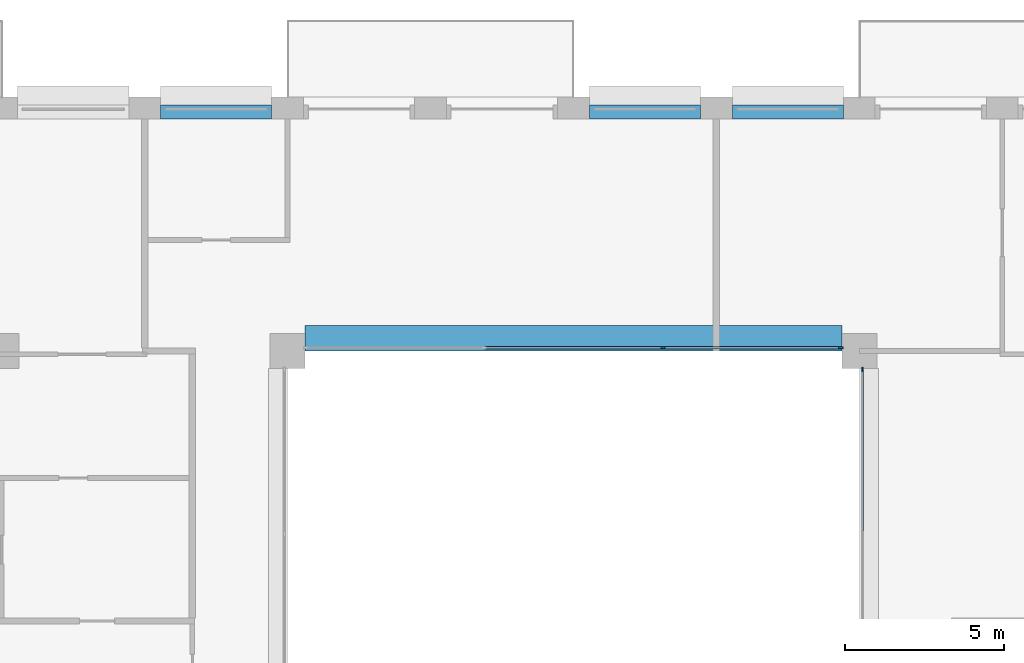
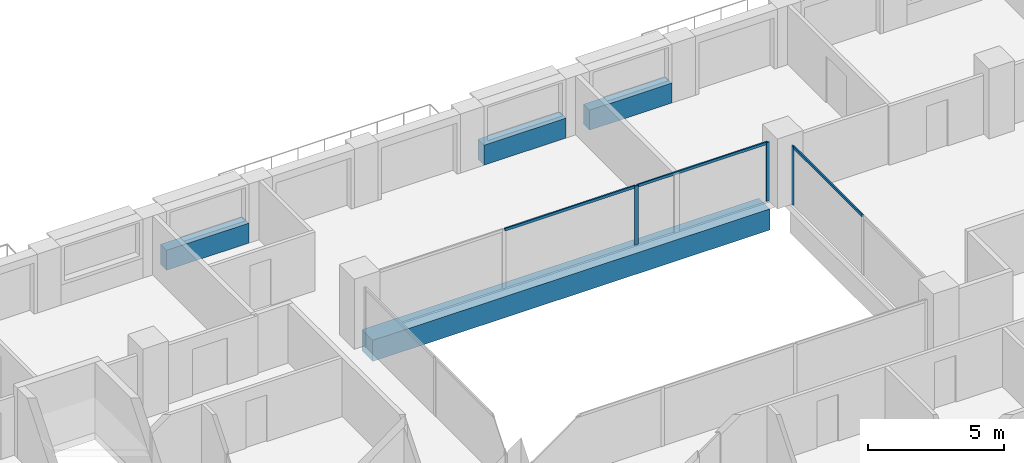
# One storey, part 6 of 16: 6 members, 4 beams, 2 elements without a shape of their own.
"""IFC4 building model written with IfcOpenShell, lengths in metres."""

from ifc_helpers import new_model, si_unit, direction, frame, origin, origin_2d, place, context, subcontext, project, spatial, rectangle, extrude, material, layer, layer_set, material_profile, profile_set, type_object, element, aggregate, save


model = new_model("IFC4")

# Units and contexts
model_context = context("Model", 3, precision=1e-05, world=origin(), true_north=direction((0.0, 1.0)))
body_context = subcontext(model_context, "Body", "Model", "MODEL_VIEW")
ifc_project = project(units=[si_unit("LENGTHUNIT", "METRE"), si_unit("AREAUNIT", "SQUARE_METRE"), si_unit("VOLUMEUNIT", "CUBIC_METRE"), si_unit("PLANEANGLEUNIT", "RADIAN"), si_unit("MASSUNIT", "GRAM", prefix="KILO")], contexts=[model_context])

# Site, building, storey
site_placement = place(None, origin())
site = spatial("IfcSite", under=ifc_project, at=site_placement, CompositionType="ELEMENT")
building_placement = place(site_placement, origin())
building = spatial("IfcBuilding", under=site, at=building_placement, Name="Brigalow Station Residences", CompositionType="ELEMENT")
storey_placement = place(building_placement, frame((0.0, 0.0, 182.25)))
storey = spatial("IfcBuildingStorey", under=building, at=storey_placement, Name="L53", CompositionType="ELEMENT", Elevation=182.25)

# Beam
ifc_material_1 = material(Name="Concrete C65", Category="concrete")
ifc_material_profile_1 = material_profile(ifc_material_1, rectangle(XDim=0.800048828125, YDim=0.949951171875, at=origin_2d()), Name="RC800x950")
ifc_profile_set_1 = profile_set([ifc_material_profile_1], Name="Concrete C65")
beam_type_1 = type_object("IfcBeamType", Name="ATRIUM EDGE GIRDER OVER 13.5 M SPAN 800x950 C65", PredefinedType="BEAM", material=ifc_profile_set_1)
beam_placement = place(storey_placement, frame((27.550048828125, 35.89990234375, -0.794921875), z_axis=(1.0, 0.0, 0.0), x_axis=(0.0, 1.0, 0.0)))
element("IfcBeam", 1, at=beam_placement, inside=storey, type_object=beam_type_1, Name="ATRIUM EDGE GIRDER D L53", PredefinedType="BEAM", context=body_context, shape_type="SweptSolid", body=[
    extrude(rectangle(XDim=0.800048828125, YDim=0.949951171875, at=origin_2d()), origin(), (0.0, 0.0, 1.0), 16.89990234375),
])

# Curtain wall, member
ifc_material_2 = material(Name="Aluminium", Category="aluminium")
ifc_layer = layer(ifc_material_2, 0.14990234375)
ifc_layer_set = layer_set([ifc_layer], Name="ATRIUM FIRE-RATED GLAZING CURTAIN WALL")
curtain_wall_type = type_object("IfcCurtainWallType", Name="ATRIUM FIRE-RATED GLAZING CURTAIN WALL", PredefinedType="NOTDEFINED", material=ifc_layer_set)
curtain_wall_1_placement = place(storey_placement, origin())
curtain_wall_1 = element("IfcCurtainWall", 2, at=curtain_wall_1_placement, inside=storey, type_object=curtain_wall_type, Name="L53/cw/atrium-E", PredefinedType="NOTDEFINED")
ifc_material_3 = material(Name="Aluminium", Category="aluminium")
ifc_material_profile_2 = material_profile(ifc_material_3, rectangle(XDim=0.06005859375, YDim=0.14990234375, at=origin_2d()), Name="ATRIUM FIRE-RATED GLAZING MULLION 60x150")
ifc_profile_set_2 = profile_set([ifc_material_profile_2], Name="Aluminium")
member_type_1 = type_object("IfcMemberType", Name="ATRIUM FIRE-RATED GLAZING MULLION 60x150", PredefinedType="MULLION", material=ifc_profile_set_2)
member_1_placement = place(storey_placement, frame((45.10009765625, 34.919921875, 0.0), z_axis=(0.0, 0.0, 1.0), x_axis=(-1.0, 0.0, 0.0)))
member_1 = element("IfcMember", 3, at=member_1_placement, type_object=member_type_1, Name="L53/cw/atrium-E/M02", PredefinedType="MULLION", context=body_context, shape_type="SweptSolid", body=[
    extrude(rectangle(XDim=0.06005859375, YDim=0.14990234375, at=origin_2d()), origin(), (0.0, 0.0, 1.0), 2.64990234375),
])

# Curtain wall, members
curtain_wall_2_placement = place(storey_placement, origin())
curtain_wall_2 = element("IfcCurtainWall", 4, at=curtain_wall_2_placement, inside=storey, type_object=curtain_wall_type, Name="L53/cw/atrium-N", PredefinedType="NOTDEFINED")
member_2_placement = place(storey_placement, frame((44.419921875, 35.60009765625, 0.0), z_axis=(0.0, 0.0, 1.0), x_axis=(0.0, -1.0, 0.0)))
member_2 = element("IfcMember", 5, at=member_2_placement, type_object=member_type_1, Name="L53/cw/atrium-N/M00", PredefinedType="MULLION", context=body_context, shape_type="SweptSolid", body=[
    extrude(rectangle(XDim=0.06005859375, YDim=0.14990234375, at=origin_2d()), origin(), (0.0, 0.0, 1.0), 2.64990234375),
])
member_3_placement = place(storey_placement, frame((38.816650390625, 35.60009765625, 0.0), z_axis=(0.0, 0.0, 1.0), x_axis=(0.0, -1.0, 0.0)))
member_3 = element("IfcMember", 6, at=member_3_placement, type_object=member_type_1, Name="L53/cw/atrium-N/M01", PredefinedType="MULLION", context=body_context, shape_type="SweptSolid", body=[
    extrude(rectangle(XDim=0.06005859375, YDim=0.14990234375, at=origin_2d()), origin(), (0.0, 0.0, 1.0), 2.64990234375),
])

# Member
ifc_material_4 = material(Name="Aluminium", Category="aluminium")
ifc_material_profile_3 = material_profile(ifc_material_4, rectangle(XDim=0.06005859375, YDim=0.1201171875, at=origin_2d()), Name="ATRIUM FIRE-RATED GLAZING TRANSOM 60x120")
ifc_profile_set_3 = profile_set([ifc_material_profile_3], Name="Aluminium")
member_type_2 = type_object("IfcMemberType", Name="ATRIUM FIRE-RATED GLAZING TRANSOM 60x120", PredefinedType="USERDEFINED", material=ifc_profile_set_3)
member_4_placement = place(storey_placement, frame((45.10009765625, 29.780029296875, 2.6201171875), z_axis=(0.0, 1.0, 0.0), x_axis=(-1.0, 0.0, 0.0)))
member_4 = element("IfcMember", 7, at=member_4_placement, type_object=member_type_2, Name="L53/cw/atrium-E/T01-00", ObjectType="TRANSOM", PredefinedType="USERDEFINED", context=body_context, shape_type="SweptSolid", body=[
    extrude(rectangle(XDim=0.06005859375, YDim=0.1201171875, at=origin_2d()), origin(), (0.0, 0.0, 1.0), 5.10986328125),
])

aggregate(curtain_wall_1, [member_1, member_4])

member_5_placement = place(storey_placement, frame((44.389892578125, 35.60009765625, 2.6201171875), z_axis=(-1.0, 0.0, 0.0), x_axis=(0.0, -1.0, 0.0)))
member_5 = element("IfcMember", 8, at=member_5_placement, type_object=member_type_2, Name="L53/cw/atrium-N/T00-00", ObjectType="TRANSOM", PredefinedType="USERDEFINED", context=body_context, shape_type="SweptSolid", body=[
    extrude(rectangle(XDim=0.06005859375, YDim=0.1201171875, at=origin_2d()), origin(), (0.0, 0.0, 1.0), 5.543212890625),
])

member_6_placement = place(storey_placement, frame((38.78662109375, 35.60009765625, 2.6201171875), z_axis=(-1.0, 0.0, 0.0), x_axis=(0.0, -1.0, 0.0)))
member_6 = element("IfcMember", 9, at=member_6_placement, type_object=member_type_2, Name="L53/cw/atrium-N/T01-00", ObjectType="TRANSOM", PredefinedType="USERDEFINED", context=body_context, shape_type="SweptSolid", body=[
    extrude(rectangle(XDim=0.06005859375, YDim=0.1201171875, at=origin_2d()), origin(), (0.0, 0.0, 1.0), 5.5732421875),
])

aggregate(curtain_wall_2, [member_2, member_3, member_5, member_6])

# Beams
ifc_material_5 = material(Name="Concrete C50", Category="concrete")
ifc_material_profile_4 = material_profile(ifc_material_5, rectangle(XDim=0.449951171875, YDim=0.89990234375, at=origin_2d()), Name="RC450x900")
ifc_profile_set_4 = profile_set([ifc_material_profile_4], Name="Concrete C50")
beam_type_2 = type_object("IfcBeamType", Name="SPANDREL BEAM 450x900 C50", PredefinedType="SPANDREL", material=ifc_profile_set_4)
for number, where, z_axis, x_axis, name in (
    (10, (44.5, 43.02490234375, 0.449951171875), (-1.0, 0.0, 0.0), (0.0, -1.0, 0.0), "L53/spandrel/W-L53-27"),
    (11, (40.0, 43.02490234375, 0.449951171875), (-1.0, 0.0, 0.0), (0.0, -1.0, 0.0), "L53/spandrel/W-L53-28"),
    (12, (26.5, 43.02490234375, 0.449951171875), (-1.0, 0.0, 0.0), (0.0, -1.0, 0.0), "L53/spandrel/W-L53-31"),
):
    element("IfcBeam", number, at=place(storey_placement, frame(where, z_axis=z_axis, x_axis=x_axis)), inside=storey, type_object=beam_type_2, Name=name, PredefinedType="SPANDREL", context=body_context, shape_type="SweptSolid", body=[
        extrude(rectangle(XDim=0.449951171875, YDim=0.89990234375, at=origin_2d()), origin(), (0.0, 0.0, 1.0), 3.5),
    ])

save(model, "model.ifc")
